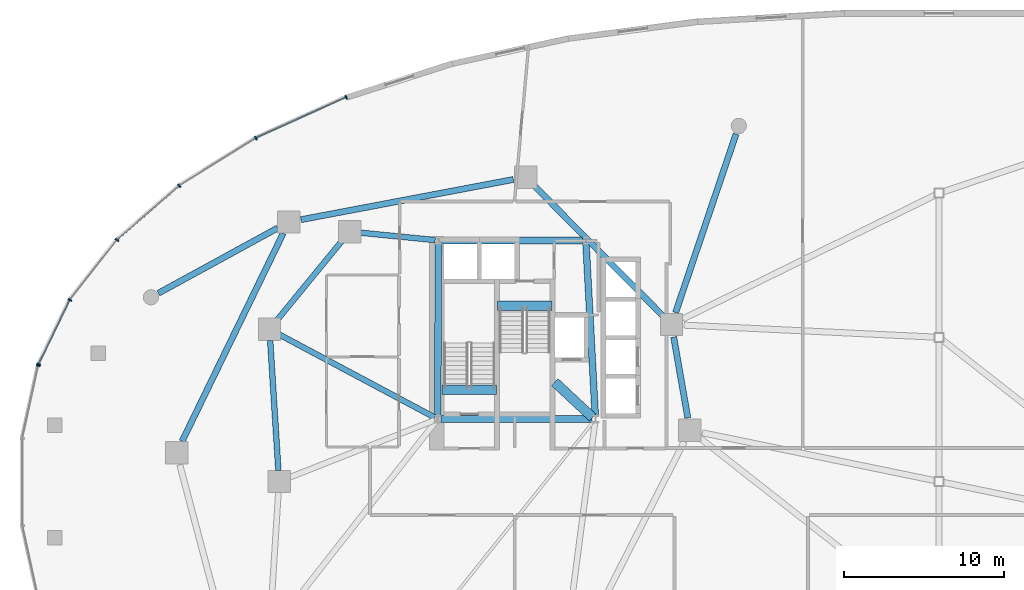
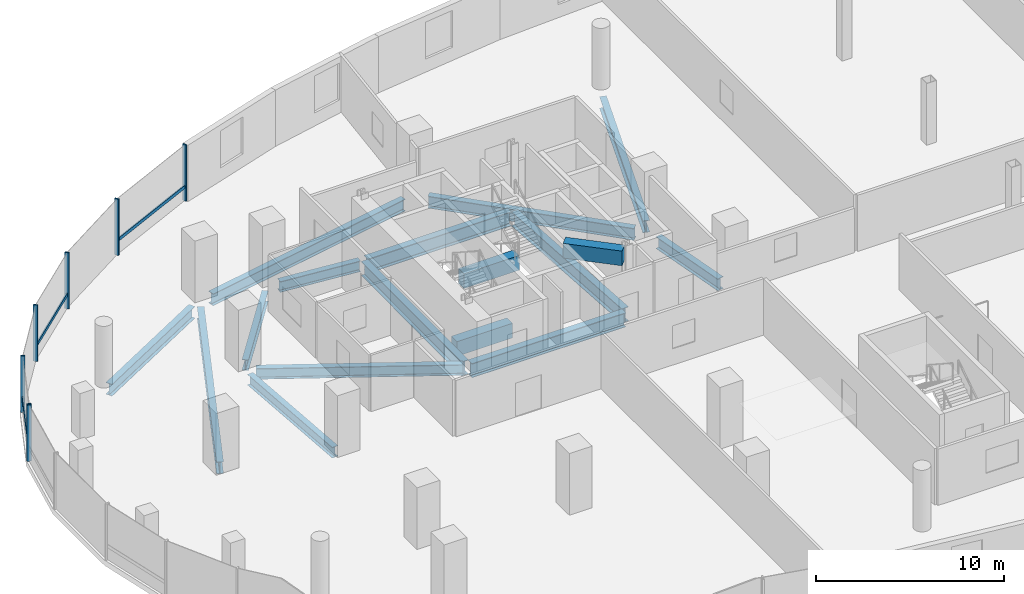
# One storey, part 5 of 18: 17 beams, 10 members, 2 elements without a shape of their own.
"""IFC4 building model written with IfcOpenShell, lengths in metres."""

from ifc_helpers import new_model, si_unit, direction, frame, origin, origin_2d, place, context, subcontext, project, spatial, rectangle, i_section, extrude, material, material_profile, profile_set, type_object, element, aggregate, save


model = new_model("IFC4")

# Units and contexts
model_context = context("Model", 3, precision=1e-05, world=origin(), true_north=direction((0.0, 1.0)))
body_context = subcontext(model_context, "Body", "Model", "MODEL_VIEW")
ifc_project = project(units=[si_unit("LENGTHUNIT", "METRE"), si_unit("AREAUNIT", "SQUARE_METRE"), si_unit("VOLUMEUNIT", "CUBIC_METRE"), si_unit("PLANEANGLEUNIT", "RADIAN"), si_unit("MASSUNIT", "GRAM", prefix="KILO"), si_unit("THERMODYNAMICTEMPERATUREUNIT", "KELVIN"), si_unit("POWERUNIT", "WATT")], contexts=[model_context])

# Site, building, storey
site_placement = place(None, origin())
site = spatial("IfcSite", under=ifc_project, at=site_placement, CompositionType="ELEMENT")
building_placement = place(site_placement, origin())
building = spatial("IfcBuilding", under=site, at=building_placement, Name="Cundina Bronze Exchange", CompositionType="ELEMENT")
storey_placement = place(building_placement, frame((0.0, 0.0, 12.0)))
storey = spatial("IfcBuildingStorey", under=building, at=storey_placement, Name="L02", CompositionType="ELEMENT", Elevation=12.0)

# Beams
ifc_material_1 = material(Name="Concrete C60/75", Category="concrete")
ifc_material_profile_1 = material_profile(ifc_material_1, rectangle(XDim=0.60009765625, YDim=0.949951171875, at=origin_2d()), Name="RC600X950", Category="concrete")
ifc_profile_set_1 = profile_set([ifc_material_profile_1], Name="Concrete C60/75")
beam_type_1 = type_object("IfcBeamType", Name="BM-COUP-RC950", PredefinedType="LINTEL", material=ifc_profile_set_1)
beam_1_placement = place(storey_placement, frame((-31.02001953125, 5.719970703125, -0.47509765625), z_axis=(1.0, 0.0, 0.0), x_axis=(0.0, 1.0, 0.0)))
element("IfcBeam", 1, at=beam_1_placement, inside=storey, type_object=beam_type_1, Name="L02 Stair W1 Landing Header Beam", PredefinedType="LINTEL", context=body_context, shape_type="SweptSolid", body=[
    extrude(rectangle(XDim=0.60009765625, YDim=0.949951171875, at=origin_2d()), origin(), (0.0, 0.0, 1.0), 3.39990234375),
])
beam_2_placement = place(storey_placement, frame((-27.56005859375, 10.97998046875, -0.47509765625), z_axis=(1.0, 0.0, 0.0), x_axis=(0.0, 1.0, 0.0)))
element("IfcBeam", 2, at=beam_2_placement, inside=storey, type_object=beam_type_1, Name="L02 Stair W2 Landing Header Beam", PredefinedType="LINTEL", context=body_context, shape_type="SweptSolid", body=[
    extrude(rectangle(XDim=0.60009765625, YDim=0.949951171875, at=origin_2d()), origin(), (0.0, 0.0, 1.0), 3.400146484375),
])
beam_3_placement = place(storey_placement, frame((-23.989990234375, 6.199951171875, 3.175048828125), z_axis=(0.731490439815, -0.681851696822, 0.0), x_axis=(0.681851696822, 0.731490439815, 0.0)))
element("IfcBeam", 3, at=beam_3_placement, inside=storey, type_object=beam_type_1, Name="L02 W Core Shear Coupling Lintel Beam", PredefinedType="LINTEL", context=body_context, shape_type="SweptSolid", body=[
    extrude(rectangle(XDim=0.60009765625, YDim=0.949951171875, at=origin_2d()), origin(), (0.0, 0.0, 1.0), 3.226318359375),
])
ifc_material_2 = material(Name="Steel ASTM A992 Grade 50", Category="steel")
ifc_material_profile_2 = material_profile(ifc_material_2, i_section(OverallWidth=0.35498046875, OverallDepth=0.695068359375, WebThickness=0.015380859375, FlangeThickness=0.02490234375, FilletRadius=0.01806640625, at=origin_2d()), Name="W27X146", Category="steel")
ifc_profile_set_2 = profile_set([ifc_material_profile_2], Name="Steel ASTM A992 Grade 50")
beam_type_2 = type_object("IfcBeamType", Name="BM-RING-W27", PredefinedType="USERDEFINED", material=ifc_profile_set_2)
beam_4_placement = place(storey_placement, frame((-31.452880859375, 15.070068359375, -0.697509765625), z_axis=(-0.995123484374, 0.098636964914, 0.0), x_axis=(-0.098636964914, -0.995123484374, 0.0)))
element("IfcBeam", 4, at=beam_4_placement, inside=storey, type_object=beam_type_2, Name="L02 W Inner Structural Ring Girder 01", ObjectType="GIRDER", PredefinedType="USERDEFINED", context=body_context, shape_type="SweptSolid", body=[
    extrude(i_section(OverallWidth=0.35498046875, OverallDepth=0.695068359375, WebThickness=0.015380859375, FlangeThickness=0.02490234375, FilletRadius=0.01806640625, at=origin_2d()), origin(), (0.0, 0.0, 1.0), 4.685546875),
])
beam_5_placement = place(storey_placement, frame((-37.236083984375, 15.06787109375, -0.697509765625), z_axis=(-0.633941925234, -0.773380653644, 0.0), x_axis=(0.773380653644, -0.633941925234, 0.0)))
element("IfcBeam", 5, at=beam_5_placement, inside=storey, type_object=beam_type_2, Name="L02 W Inner Structural Ring Girder 02", ObjectType="GIRDER", PredefinedType="USERDEFINED", context=body_context, shape_type="SweptSolid", body=[
    extrude(i_section(OverallWidth=0.35498046875, OverallDepth=0.695068359375, WebThickness=0.015380859375, FlangeThickness=0.02490234375, FilletRadius=0.01806640625, at=origin_2d()), origin(), (0.0, 0.0, 1.0), 6.511474609375),
])
beam_6_placement = place(storey_placement, frame((-41.756591796875, 8.8134765625, -0.697509765625), z_axis=(0.063020359641, -0.998012241544, 0.0), x_axis=(0.998012241544, 0.063020359641, 0.0)))
element("IfcBeam", 6, at=beam_6_placement, inside=storey, type_object=beam_type_2, Name="L02 W Inner Structural Ring Girder 03", ObjectType="GIRDER", PredefinedType="USERDEFINED", context=body_context, shape_type="SweptSolid", body=[
    extrude(i_section(OverallWidth=0.35498046875, OverallDepth=0.695068359375, WebThickness=0.015380859375, FlangeThickness=0.02490234375, FilletRadius=0.01806640625, at=origin_2d()), origin(), (0.0, 0.0, 1.0), 8.14306640625),
])
beam_7_placement = place(storey_placement, frame((-31.47998046875, 3.99609375, -0.697509765625), z_axis=(-0.882354169055, 0.470585933014, 0.0), x_axis=(-0.470585933014, -0.882354169055, 0.0)))
element("IfcBeam", 7, at=beam_7_placement, inside=storey, type_object=beam_type_2, Name="L02 W Core-to-Waist Tie Beam 2", ObjectType="GIRDER", PredefinedType="USERDEFINED", context=body_context, shape_type="SweptSolid", body=[
    extrude(i_section(OverallWidth=0.35498046875, OverallDepth=0.695068359375, WebThickness=0.015380859375, FlangeThickness=0.02490234375, FilletRadius=0.01806640625, at=origin_2d()), origin(), (0.0, 0.0, 1.0), 11.0078125),
])
ifc_material_profile_3 = material_profile(ifc_material_2, i_section(OverallWidth=0.381103515625, OverallDepth=0.77294921875, WebThickness=0.0166015625, FlangeThickness=0.027099609375, FilletRadius=0.01904296875, at=origin_2d()), Name="W30X173", Category="steel")
ifc_profile_set_3 = profile_set([ifc_material_profile_3], Name="Steel ASTM A992 Grade 50")
beam_type_3 = type_object("IfcBeamType", Name="BM-RING-W30", PredefinedType="USERDEFINED", material=ifc_profile_set_3)
beam_8_placement = place(storey_placement, frame((-48.727783203125, 11.758056640625, -0.736572265625), z_axis=(0.877507733759, 0.479562485182, 0.0), x_axis=(-0.479562485182, 0.877507733759, 0.0)))
element("IfcBeam", 8, at=beam_8_placement, inside=storey, type_object=beam_type_3, Name="L02 Podium Colonnade Tie Beam 01", ObjectType="GIRDER", PredefinedType="USERDEFINED", context=body_context, shape_type="SweptSolid", body=[
    extrude(i_section(OverallWidth=0.381103515625, OverallDepth=0.77294921875, WebThickness=0.0166015625, FlangeThickness=0.027099609375, FilletRadius=0.01904296875, at=origin_2d()), origin(), (0.0, 0.0, 1.0), 8.474365234375),
])
beam_9_placement = place(storey_placement, frame((-12.672607421875, 21.6904296875, -0.736572265625), z_axis=(-0.320811837352, -0.947142948564, 0.0), x_axis=(0.947142948564, -0.320811837352, 0.0)))
element("IfcBeam", 9, at=beam_9_placement, inside=storey, type_object=beam_type_3, Name="L02 Podium Colonnade Tie Beam 03", ObjectType="GIRDER", PredefinedType="USERDEFINED", context=body_context, shape_type="SweptSolid", body=[
    extrude(i_section(OverallWidth=0.381103515625, OverallDepth=0.77294921875, WebThickness=0.0166015625, FlangeThickness=0.027099609375, FilletRadius=0.01904296875, at=origin_2d()), origin(), (0.0, 0.0, 1.0), 11.765869140625),
])
beam_10_placement = place(storey_placement, frame((-15.685302734375, 3.976318359375, -0.736572265625), z_axis=(-0.171642817546, 0.985159247627, 0.0), x_axis=(-0.985159247627, -0.171642817546, 0.0)))
element("IfcBeam", 10, at=beam_10_placement, inside=storey, type_object=beam_type_3, Name="L02 W Podium Ring Girder 00", ObjectType="GIRDER", PredefinedType="USERDEFINED", context=body_context, shape_type="SweptSolid", body=[
    extrude(i_section(OverallWidth=0.381103515625, OverallDepth=0.77294921875, WebThickness=0.0166015625, FlangeThickness=0.027099609375, FilletRadius=0.01904296875, at=origin_2d()), origin(), (0.0, 0.0, 1.0), 5.123291015625),
])
beam_11_placement = place(storey_placement, frame((-17.254150390625, 10.360107421875, -0.736572265625), z_axis=(-0.703229241487, 0.710963173391, 0.0), x_axis=(-0.710963173391, -0.703229241487, 0.0)))
element("IfcBeam", 11, at=beam_11_placement, inside=storey, type_object=beam_type_3, Name="L02 W Podium Ring Girder 02", ObjectType="GIRDER", PredefinedType="USERDEFINED", context=body_context, shape_type="SweptSolid", body=[
    extrude(i_section(OverallWidth=0.381103515625, OverallDepth=0.77294921875, WebThickness=0.0166015625, FlangeThickness=0.027099609375, FilletRadius=0.01904296875, at=origin_2d()), origin(), (0.0, 0.0, 1.0), 11.3642578125),
])
beam_12_placement = place(storey_placement, frame((-26.57421875, 18.853515625, -0.736572265625), z_axis=(-0.982569620145, -0.185894974562, 0.0), x_axis=(0.185894974562, -0.982569620145, 0.0)))
element("IfcBeam", 12, at=beam_12_placement, inside=storey, type_object=beam_type_3, Name="L02 W Podium Ring Girder 04", ObjectType="GIRDER", PredefinedType="USERDEFINED", context=body_context, shape_type="SweptSolid", body=[
    extrude(i_section(OverallWidth=0.381103515625, OverallDepth=0.77294921875, WebThickness=0.0166015625, FlangeThickness=0.027099609375, FilletRadius=0.01904296875, at=origin_2d()), origin(), (0.0, 0.0, 1.0), 13.486572265625),
])
beam_13_placement = place(storey_placement, frame((-40.944580078125, 15.4912109375, -0.736572265625), z_axis=(-0.437200307007, -0.899364159589, 0.0), x_axis=(0.899364159589, -0.437200307007, 0.0)))
element("IfcBeam", 13, at=beam_13_placement, inside=storey, type_object=beam_type_3, Name="L02 W Podium Ring Girder 06", ObjectType="GIRDER", PredefinedType="USERDEFINED", context=body_context, shape_type="SweptSolid", body=[
    extrude(i_section(OverallWidth=0.381103515625, OverallDepth=0.77294921875, WebThickness=0.0166015625, FlangeThickness=0.027099609375, FilletRadius=0.01904296875, at=origin_2d()), origin(), (0.0, 0.0, 1.0), 14.43505859375),
])
ifc_material_profile_4 = material_profile(ifc_material_2, i_section(OverallWidth=0.41796875, OverallDepth=0.927001953125, WebThickness=0.019287109375, FlangeThickness=0.031982421875, FilletRadius=0.02392578125, at=origin_2d()), Name="W36X231", Category="steel")
ifc_profile_set_4 = profile_set([ifc_material_profile_4], Name="Steel ASTM A992 Grade 50")
beam_type_4 = type_object("IfcBeamType", Name="BM-WRN-W36B", PredefinedType="USERDEFINED", material=ifc_profile_set_4)
beam_14_placement = place(storey_placement, frame((-31.095947265625, 3.89990234375, -0.8134765625), z_axis=(1.0, 0.0, 0.0), x_axis=(0.0, 1.0, 0.0)))
element("IfcBeam", 14, at=beam_14_placement, inside=storey, type_object=beam_type_4, Name="L02 W Core Perimeter Tie Girder 1", ObjectType="GIRDER", PredefinedType="USERDEFINED", context=body_context, shape_type="SweptSolid", body=[
    extrude(i_section(OverallWidth=0.41796875, OverallDepth=0.927001953125, WebThickness=0.019287109375, FlangeThickness=0.031982421875, FilletRadius=0.02392578125, at=origin_2d()), origin(), (0.0, 0.0, 1.0), 9.44189453125),
])
beam_15_placement = place(storey_placement, frame((-21.4609375, 4.103759765625, -0.8134765625), z_axis=(-0.053739193498, 0.998555005537, 0.0), x_axis=(-0.998555005537, -0.053739193498, 0.0)))
element("IfcBeam", 15, at=beam_15_placement, inside=storey, type_object=beam_type_4, Name="L02 W Core Perimeter Tie Girder 2", ObjectType="GIRDER", PredefinedType="USERDEFINED", context=body_context, shape_type="SweptSolid", body=[
    extrude(i_section(OverallWidth=0.41796875, OverallDepth=0.927001953125, WebThickness=0.019287109375, FlangeThickness=0.031982421875, FilletRadius=0.02392578125, at=origin_2d()), origin(), (0.0, 0.0, 1.0), 10.758056640625),
])
beam_16_placement = place(storey_placement, frame((-22.25390625, 15.050048828125, -0.8134765625), z_axis=(-1.0, 0.0, 0.0), x_axis=(0.0, -1.0, 0.0)))
element("IfcBeam", 16, at=beam_16_placement, inside=storey, type_object=beam_type_4, Name="L02 W Core Perimeter Tie Girder 3", ObjectType="GIRDER", PredefinedType="USERDEFINED", context=body_context, shape_type="SweptSolid", body=[
    extrude(i_section(OverallWidth=0.41796875, OverallDepth=0.927001953125, WebThickness=0.019287109375, FlangeThickness=0.031982421875, FilletRadius=0.02392578125, at=origin_2d()), origin(), (0.0, 0.0, 1.0), 8.7919921875),
])
beam_17_placement = place(storey_placement, frame((-31.2509765625, 14.845947265625, -0.8134765625), z_axis=(-0.004477329608, -0.99998997671, 0.0), x_axis=(0.99998997671, -0.004477329608, 0.0)))
element("IfcBeam", 17, at=beam_17_placement, inside=storey, type_object=beam_type_4, Name="L02 W Core Perimeter Tie Girder 4", ObjectType="GIRDER", PredefinedType="USERDEFINED", context=body_context, shape_type="SweptSolid", body=[
    extrude(i_section(OverallWidth=0.41796875, OverallDepth=0.927001953125, WebThickness=0.019287109375, FlangeThickness=0.031982421875, FilletRadius=0.02392578125, at=origin_2d()), origin(), (0.0, 0.0, 1.0), 10.741943359375),
])

# Curtain wall, members
ifc_material_3 = material(Name="Anodised Bronze Aluminium 6063-T6", Category="aluminium")
curtain_wall_type = type_object("IfcCurtainWallType", Name="CWS-POD-CONC", PredefinedType="NOTDEFINED", material=ifc_material_3)
curtain_wall_1_placement = place(storey_placement, origin())
curtain_wall_1 = element("IfcCurtainWall", 18, at=curtain_wall_1_placement, inside=storey, type_object=curtain_wall_type, Name="L02 CW-01 Curtain Wall Run CWR-L02-03", PredefinedType="NOTDEFINED")
ifc_material_profile_5 = material_profile(ifc_material_3, rectangle(XDim=0.0849609375, YDim=0.25, at=origin_2d()), Name="AL85X250", Category="aluminium")
ifc_profile_set_5 = profile_set([ifc_material_profile_5], Name="Anodised Bronze Aluminium 6063-T6")
member_type_1 = type_object("IfcMemberType", Name="CWM-MUL-250", PredefinedType="MULLION", material=ifc_profile_set_5)
member_1_placement = place(storey_placement, frame((-37.013671875, 23.990478515625, 0.0), z_axis=(0.0, 0.0, 1.0), x_axis=(-0.911618620107, -0.411037092578, 0.0)))
member_1 = element("IfcMember", 19, at=member_1_placement, type_object=member_type_1, Name="CW-01 Mullion 1", PredefinedType="MULLION", context=body_context, shape_type="SweptSolid", body=[
    extrude(rectangle(XDim=0.0849609375, YDim=0.25, at=origin_2d()), origin(), (0.0, 0.0, 1.0), 3.64990234375),
])
member_2_placement = place(storey_placement, frame((-42.654052734375, 21.4404296875, 0.0), z_axis=(0.0, 0.0, 1.0), x_axis=(-0.849248260906, -0.527993741769, 0.0)))
member_2 = element("IfcMember", 20, at=member_2_placement, type_object=member_type_1, Name="CW-01 Mullion 2", PredefinedType="MULLION", context=body_context, shape_type="SweptSolid", body=[
    extrude(rectangle(XDim=0.0849609375, YDim=0.25, at=origin_2d()), origin(), (0.0, 0.0, 1.0), 3.64990234375),
])
member_3_placement = place(storey_placement, frame((-47.43701171875, 18.45849609375, 0.0), z_axis=(0.0, 0.0, 1.0), x_axis=(-0.755510544084, -0.6551364879, 0.0)))
member_3 = element("IfcMember", 21, at=member_3_placement, type_object=member_type_1, Name="CW-01 Mullion 3", PredefinedType="MULLION", context=body_context, shape_type="SweptSolid", body=[
    extrude(rectangle(XDim=0.0849609375, YDim=0.25, at=origin_2d()), origin(), (0.0, 0.0, 1.0), 3.64990234375),
])
member_4_placement = place(storey_placement, frame((-51.320068359375, 15.08056640625, 0.0), z_axis=(0.0, 0.0, 1.0), x_axis=(-0.61950505541, -0.784992666412, 0.0)))
member_4 = element("IfcMember", 22, at=member_4_placement, type_object=member_type_1, Name="CW-01 Mullion 4", PredefinedType="MULLION", context=body_context, shape_type="SweptSolid", body=[
    extrude(rectangle(XDim=0.0849609375, YDim=0.25, at=origin_2d()), origin(), (0.0, 0.0, 1.0), 3.64990234375),
])
member_5_placement = place(storey_placement, frame((-54.263427734375, 11.335205078125, 0.0), z_axis=(0.0, 0.0, 1.0), x_axis=(-0.435702445497, -0.900090761528, 0.0)))
member_5 = element("IfcMember", 23, at=member_5_placement, type_object=member_type_1, Name="CW-01 Mullion 5", PredefinedType="MULLION", context=body_context, shape_type="SweptSolid", body=[
    extrude(rectangle(XDim=0.0849609375, YDim=0.25, at=origin_2d()), origin(), (0.0, 0.0, 1.0), 3.64990234375),
])
member_6_placement = place(storey_placement, frame((-56.211669921875, 7.311279296875, 0.0), z_axis=(0.0, 0.0, 1.0), x_axis=(-0.435702445497, -0.900090761528, 0.0)))
member_6 = element("IfcMember", 24, at=member_6_placement, type_object=member_type_1, Name="CW-01 End Mullion", PredefinedType="MULLION", context=body_context, shape_type="SweptSolid", body=[
    extrude(rectangle(XDim=0.0849609375, YDim=0.25, at=origin_2d()), origin(), (0.0, 0.0, 1.0), 3.64990234375),
])

# Curtain wall, member
curtain_wall_2_placement = place(storey_placement, origin())
curtain_wall_2 = element("IfcCurtainWall", 25, at=curtain_wall_2_placement, inside=storey, type_object=curtain_wall_type, Name="L02 CW-01 Curtain Wall Run CWR-L02-04", PredefinedType="NOTDEFINED")
member_7_placement = place(storey_placement, frame((-56.239013671875, 7.231689453125, 0.0), z_axis=(0.0, 0.0, 1.0), x_axis=(-0.214564862428, -0.976709741843, 0.0)))
member_7 = element("IfcMember", 26, at=member_7_placement, type_object=member_type_1, Name="CW-01 Mullion 1", PredefinedType="MULLION", context=body_context, shape_type="SweptSolid", body=[
    extrude(rectangle(XDim=0.0849609375, YDim=0.25, at=origin_2d()), origin(), (0.0, 0.0, 1.0), 3.64990234375),
])
aggregate(curtain_wall_2, [member_7])

# Member
ifc_material_profile_6 = material_profile(ifc_material_3, rectangle(XDim=0.080078125, YDim=0.2099609375, at=origin_2d()), Name="AL80X210", Category="aluminium")
ifc_profile_set_6 = profile_set([ifc_material_profile_6], Name="Anodised Bronze Aluminium 6063-T6")
member_type_2 = type_object("IfcMemberType", Name="CWM-TRN-210", PredefinedType="USERDEFINED", material=ifc_profile_set_6)
member_8_placement = place(storey_placement, frame((-37.056396484375, 23.97119140625, 0.919921875), z_axis=(-0.911641535198, -0.410986266561, 0.0), x_axis=(0.410986266561, -0.911641535198, 0.0)))
member_8 = element("IfcMember", 27, at=member_8_placement, type_object=member_type_2, Name="CW-01 Spandrel Transom 1", ObjectType="TRANSOM", PredefinedType="USERDEFINED", context=body_context, shape_type="SweptSolid", body=[
    extrude(rectangle(XDim=0.080078125, YDim=0.2099609375, at=origin_2d()), origin(), (0.0, 0.0, 1.0), 6.090576171875),
])

member_9_placement = place(storey_placement, frame((-47.472412109375, 18.427734375, 0.919921875), z_axis=(-0.755563201238, -0.655075758164, 0.0), x_axis=(0.655075758164, -0.755563201238, 0.0)))
member_9 = element("IfcMember", 28, at=member_9_placement, type_object=member_type_2, Name="CW-01 Spandrel Transom 3", ObjectType="TRANSOM", PredefinedType="USERDEFINED", context=body_context, shape_type="SweptSolid", body=[
    extrude(rectangle(XDim=0.080078125, YDim=0.2099609375, at=origin_2d()), origin(), (0.0, 0.0, 1.0), 5.055908203125),
])

member_10_placement = place(storey_placement, frame((-54.28369140625, 11.293212890625, 0.919921875), z_axis=(-0.435776682523, -0.900054822202, 0.0), x_axis=(0.900054822202, -0.435776682523, 0.0)))
member_10 = element("IfcMember", 29, at=member_10_placement, type_object=member_type_2, Name="CW-01 Spandrel Transom 5", ObjectType="TRANSOM", PredefinedType="USERDEFINED", context=body_context, shape_type="SweptSolid", body=[
    extrude(rectangle(XDim=0.080078125, YDim=0.2099609375, at=origin_2d()), origin(), (0.0, 0.0, 1.0), 4.377197265625),
])

aggregate(curtain_wall_1, [member_1, member_8, member_2, member_3, member_9, member_4, member_5, member_6, member_10])

save(model, "model.ifc")
